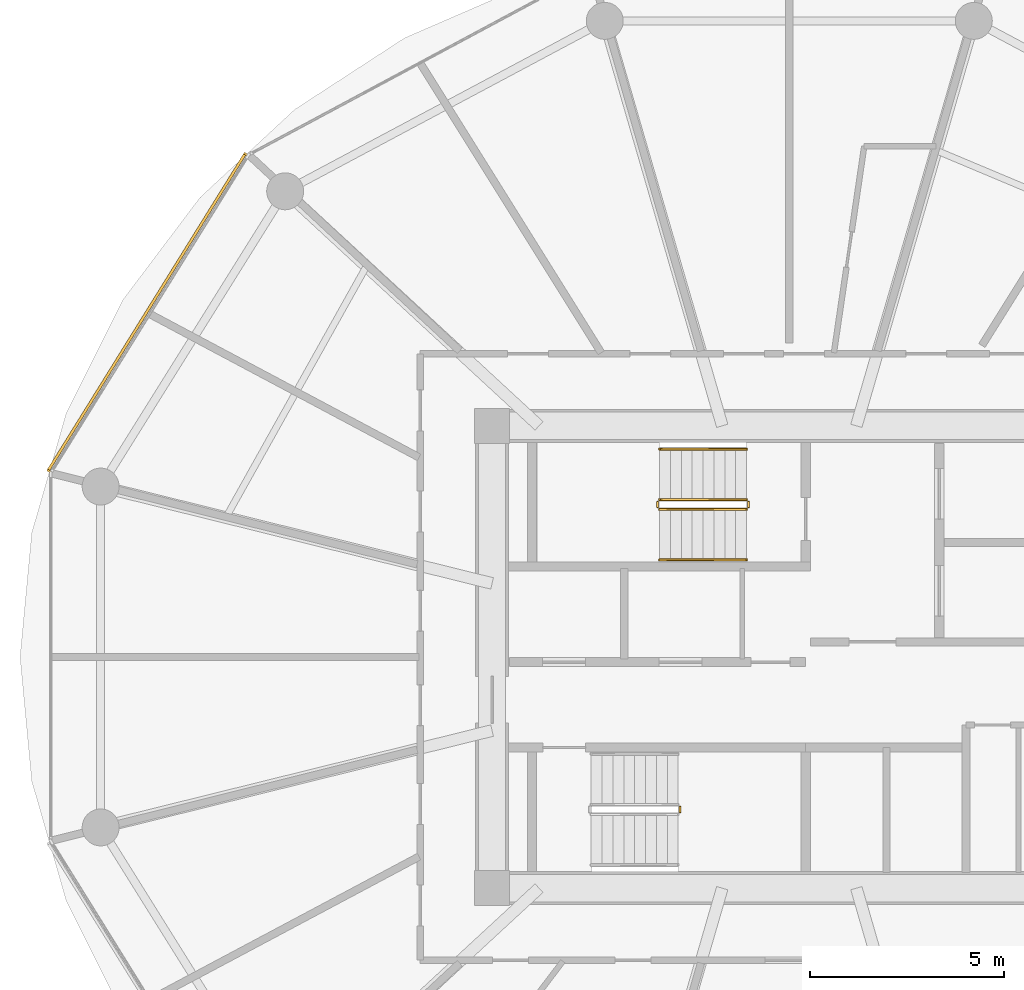
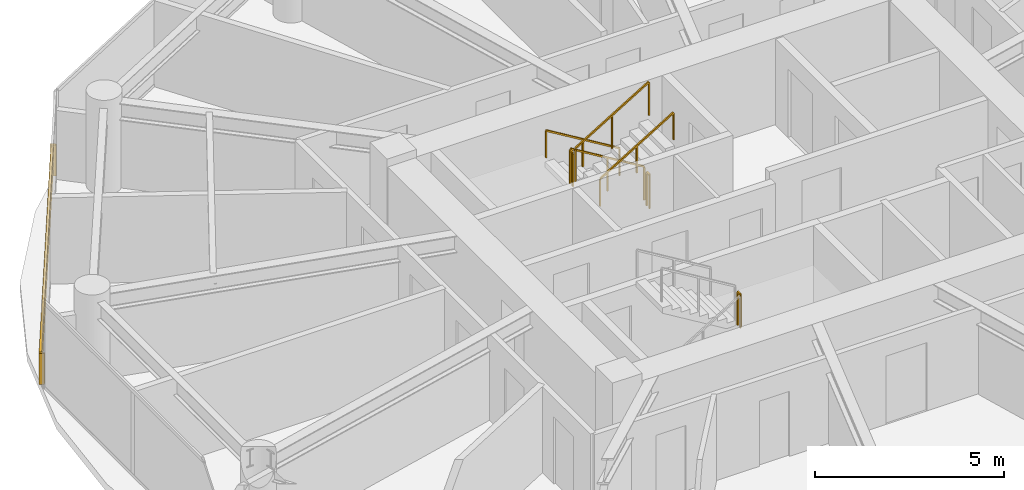
# One storey, part 23 of 26: 7 railings, 1 shading device.
"""IFC4 building model written with IfcOpenShell, lengths in metres."""

from ifc_helpers import new_model, si_unit, direction, frame, origin, origin_2d, place, context, subcontext, project, spatial, rectangle, extrude, source, transform, mapped, material, type_object, type_shapes, element, save


model = new_model("IFC4")

# Units and contexts
model_context = context("Model", 3, precision=1e-05, world=origin(), true_north=direction((0.0, 1.0)))
body_context = subcontext(model_context, "Body", "Model", "MODEL_VIEW")
ifc_project = project(units=[si_unit("LENGTHUNIT", "METRE"), si_unit("AREAUNIT", "SQUARE_METRE"), si_unit("VOLUMEUNIT", "CUBIC_METRE"), si_unit("PLANEANGLEUNIT", "RADIAN"), si_unit("MASSUNIT", "GRAM", prefix="KILO")], contexts=[model_context])

# Site, building, storey
site_placement = place(None, origin())
site = spatial("IfcSite", under=ifc_project, at=site_placement, CompositionType="ELEMENT")
building_placement = place(site_placement, origin())
building = spatial("IfcBuilding", under=site, at=building_placement, Name="Norrkilde Senior Care Towers", CompositionType="ELEMENT")
storey_placement = place(building_placement, frame((0.0, 0.0, 49.050048828125)))
storey = spatial("IfcBuildingStorey", under=building, at=storey_placement, Name="L14", CompositionType="ELEMENT", Elevation=49.050048828125)

# Railings
ifc_material_1 = material(Name="Stainless Steel", Category="steel")
railing_type_1 = type_object("IfcRailingType", Name="Stair and Terrace Guardrail 1100", PredefinedType="GUARDRAIL", material=ifc_material_1)
railing_1_placement = place(storey_placement, frame((-29.10009765625, 4.050048828125, 0.16943359375)))
element("IfcRailing", 1, at=railing_1_placement, inside=storey, type_object=railing_type_1, Name="L14 ST-W1 stair guard 1", PredefinedType="GUARDRAIL", context=body_context, shape_type="SweptSolid", body=[
    extrude(rectangle(XDim=0.048095703125, YDim=0.048095703125, at=origin_2d()), frame((0.0, 0.0, 1.076171875), z_axis=(-0.855553338991, 0.0, 0.51771467445), x_axis=(0.0, -1.0, 0.0)), (0.0, 0.0, 1.0), 2.6181640625),
    extrude(rectangle(XDim=0.0419921875, YDim=0.0419921875, at=origin_2d()), origin(), (0.0, 0.0, 1.0), 1.050048828125),
    extrude(rectangle(XDim=0.0419921875, YDim=0.0419921875, at=origin_2d()), frame((-1.1201171875, 0.0, 0.677734375)), (0.0, 0.0, 1.0), 1.050048828125),
    extrude(rectangle(XDim=0.0419921875, YDim=0.0419921875, at=origin_2d()), frame((-2.239990234375, 0.0, 1.35546875)), (0.0, 0.0, 1.0), 1.050048828125),
])
railing_2_placement = place(storey_placement, frame((-31.389892578125, 4.0, 1.52490234375)))
element("IfcRailing", 2, at=railing_2_placement, inside=storey, type_object=railing_type_1, Name="L14 ST-W1 stair guard 2", PredefinedType="GUARDRAIL", context=body_context, shape_type="SweptSolid", body=[
    extrude(rectangle(XDim=0.048095703125, YDim=0.048095703125, at=origin_2d()), frame((0.0, 0.0, 1.076171875), z_axis=(0.0, -1.0, 0.0), x_axis=(1.0, 0.0, 0.0)), (0.0, 0.0, 1.0), 0.14990234375),
    extrude(rectangle(XDim=0.0419921875, YDim=0.0419921875, at=origin_2d()), origin(), (0.0, 0.0, 1.0), 1.050048828125),
    extrude(rectangle(XDim=0.0419921875, YDim=0.0419921875, at=origin_2d()), frame((0.0, -0.14990234375, 0.0)), (0.0, 0.0, 1.0), 1.050048828125),
])
railing_3_placement = place(storey_placement, frame((-31.340087890625, 3.800048828125, 1.6943359375)))
element("IfcRailing", 3, at=railing_3_placement, inside=storey, type_object=railing_type_1, Name="L14 ST-W1 stair guard 3", PredefinedType="GUARDRAIL", context=body_context, shape_type="SweptSolid", body=[
    extrude(rectangle(XDim=0.048095703125, YDim=0.048095703125, at=origin_2d()), frame((0.0, 0.0, 1.076171875), z_axis=(0.855512035549, 0.0, 0.517782924622), x_axis=(0.0, 1.0, 0.0)), (0.0, 0.0, 1.0), 2.618408203125),
    extrude(rectangle(XDim=0.0419921875, YDim=0.0419921875, at=origin_2d()), origin(), (0.0, 0.0, 1.0), 1.050048828125),
    extrude(rectangle(XDim=0.0419921875, YDim=0.0419921875, at=origin_2d()), frame((1.1201171875, 0.0, 0.677734375)), (0.0, 0.0, 1.0), 1.050048828125),
    extrude(rectangle(XDim=0.0419921875, YDim=0.0419921875, at=origin_2d()), frame((2.239990234375, 0.0, 1.355712890625)), (0.0, 0.0, 1.0), 1.050048828125),
])
railing_4_placement = place(storey_placement, frame((-29.050048828125, 4.0, 0.0)))
element("IfcRailing", 4, at=railing_4_placement, inside=storey, type_object=railing_type_1, Name="L14 ST-W1 stair guard 4", PredefinedType="GUARDRAIL", context=body_context, shape_type="SweptSolid", body=[
    extrude(rectangle(XDim=0.048095703125, YDim=0.048095703125, at=origin_2d()), frame((0.0, 0.0, 1.076171875), z_axis=(0.0, -1.0, 0.0), x_axis=(1.0, 0.0, 0.0)), (0.0, 0.0, 1.0), 0.14990234375),
    extrude(rectangle(XDim=0.0419921875, YDim=0.0419921875, at=origin_2d()), origin(), (0.0, 0.0, 1.0), 1.050048828125),
    extrude(rectangle(XDim=0.0419921875, YDim=0.0419921875, at=origin_2d()), frame((0.0, -0.14990234375, 0.0)), (0.0, 0.0, 1.0), 1.050048828125),
])
railing_5_placement = place(storey_placement, frame((-30.81005859375, -4.0, 1.52490234375)))
element("IfcRailing", 5, at=railing_5_placement, inside=storey, type_object=railing_type_1, Name="L14 ST-W2 stair guard 2", PredefinedType="GUARDRAIL", context=body_context, shape_type="SweptSolid", body=[
    extrude(rectangle(XDim=0.048095703125, YDim=0.048095703125, at=origin_2d()), frame((0.0, 0.0, 1.076171875), z_axis=(0.0, 1.0, 0.0), x_axis=(-1.0, 0.0, 0.0)), (0.0, 0.0, 1.0), 0.14990234375),
    extrude(rectangle(XDim=0.0419921875, YDim=0.0419921875, at=origin_2d()), origin(), (0.0, 0.0, 1.0), 1.050048828125),
    extrude(rectangle(XDim=0.0419921875, YDim=0.0419921875, at=origin_2d()), frame((0.0, 0.14990234375, 0.0)), (0.0, 0.0, 1.0), 1.050048828125),
])
ifc_material_2 = material(Name="Nordic Ash Timber", Category="wood")
railing_type_2 = type_object("IfcRailingType", Name="Wall and Stair Handrail 900", PredefinedType="HANDRAIL", material=ifc_material_2)
railing_6_placement = place(storey_placement, frame((-29.10009765625, 5.35009765625, 0.16943359375)))
element("IfcRailing", 6, at=railing_6_placement, inside=storey, type_object=railing_type_2, Name="L14 ST-W1 stair handrail 1", PredefinedType="HANDRAIL", context=body_context, shape_type="SweptSolid", body=[
    extrude(rectangle(XDim=0.048095703125, YDim=0.048095703125, at=origin_2d()), frame((0.0, 0.0, 0.8759765625), z_axis=(-0.855553338991, 0.0, 0.51771467445), x_axis=(0.0, -1.0, 0.0)), (0.0, 0.0, 1.0), 2.6181640625),
    extrude(rectangle(XDim=0.0419921875, YDim=0.0419921875, at=origin_2d()), origin(), (0.0, 0.0, 1.0), 0.849853515625),
    extrude(rectangle(XDim=0.0419921875, YDim=0.0419921875, at=origin_2d()), frame((-1.1201171875, 0.0, 0.677734375)), (0.0, 0.0, 1.0), 0.849853515625),
    extrude(rectangle(XDim=0.0419921875, YDim=0.0419921875, at=origin_2d()), frame((-2.239990234375, 0.0, 1.35546875)), (0.0, 0.0, 1.0), 0.849853515625),
])
railing_7_placement = place(storey_placement, frame((-31.340087890625, 2.5, 1.6943359375)))
element("IfcRailing", 7, at=railing_7_placement, inside=storey, type_object=railing_type_2, Name="L14 ST-W1 stair handrail 2", PredefinedType="HANDRAIL", context=body_context, shape_type="SweptSolid", body=[
    extrude(rectangle(XDim=0.048095703125, YDim=0.048095703125, at=origin_2d()), frame((0.0, 0.0, 0.8759765625), z_axis=(0.855512035549, 0.0, 0.517782924622), x_axis=(0.0, 1.0, 0.0)), (0.0, 0.0, 1.0), 2.618408203125),
    extrude(rectangle(XDim=0.0419921875, YDim=0.0419921875, at=origin_2d()), origin(), (0.0, 0.0, 1.0), 0.849853515625),
    extrude(rectangle(XDim=0.0419921875, YDim=0.0419921875, at=origin_2d()), frame((1.1201171875, 0.0, 0.677734375)), (0.0, 0.0, 1.0), 0.849853515625),
    extrude(rectangle(XDim=0.0419921875, YDim=0.0419921875, at=origin_2d()), frame((2.239990234375, 0.0, 1.355712890625)), (0.0, 0.0, 1.0), 0.849853515625),
])

# Shading device
ifc_material_3 = material(Name="Architectural Terracotta", Category="masonry")
shading_device_type = type_object("IfcShadingDeviceType", Name="Horizontal Terracotta Baguette Rack", PredefinedType="USERDEFINED", material=ifc_material_3)
shared_shape = source(origin(), body_context, "Body", "SweptSolid", [
    extrude(rectangle(XDim=0.070068359375, YDim=0.110107421875, at=origin_2d()), frame((0.0, 0.090087890625, 0.125), z_axis=(1.0, 0.0, 0.0), x_axis=(0.0, 1.0, 0.0)), (0.0, 0.0, 1.0), 9.64892578125),
    extrude(rectangle(XDim=0.070068359375, YDim=0.110107421875, at=origin_2d()), frame((0.0, 0.090087890625, 0.375), z_axis=(1.0, 0.0, 0.0), x_axis=(0.0, 1.0, 0.0)), (0.0, 0.0, 1.0), 9.64892578125),
    extrude(rectangle(XDim=0.070068359375, YDim=0.110107421875, at=origin_2d()), frame((0.0, 0.090087890625, 0.625), z_axis=(1.0, 0.0, 0.0), x_axis=(0.0, 1.0, 0.0)), (0.0, 0.0, 1.0), 9.64892578125),
    extrude(rectangle(XDim=0.070068359375, YDim=0.110107421875, at=origin_2d()), frame((0.0, 0.090087890625, 0.875), z_axis=(1.0, 0.0, 0.0), x_axis=(0.0, 1.0, 0.0)), (0.0, 0.0, 1.0), 9.64892578125),
    extrude(rectangle(XDim=0.050048828125, YDim=0.1552734375, at=origin_2d()), frame((0.02490234375, 0.047607421875, 0.0)), (0.0, 0.0, 1.0), 1.0),
    extrude(rectangle(XDim=0.050048828125, YDim=0.1552734375, at=origin_2d()), frame((9.6240234375, 0.047607421875, 0.0)), (0.0, 0.0, 1.0), 1.0),
])
type_shapes(shading_device_type, [shared_shape])
shading_device_placement = place(storey_placement, frame((-47.009521484375, 4.731201171875, 0.079833984375), z_axis=(0.0, 0.0, 1.0), x_axis=(0.527908506655, 0.849299124538, 0.0)))
element("IfcShadingDevice", 8, at=shading_device_placement, inside=storey, type_object=shading_device_type, Name="L14 Drum W Terracotta Baguette Screen 04", ObjectType="BAGUETTE", PredefinedType="USERDEFINED", context=body_context, shape_type="MappedRepresentation", body=[
    mapped(shared_shape, transform((0.0, 0.0, 0.0), x_axis=(1.0, 0.0, 0.0), y_axis=(0.0, 1.0, 0.0), z_axis=(0.0, 0.0, 1.0), scale=1.0)),
])

save(model, "model.ifc")
